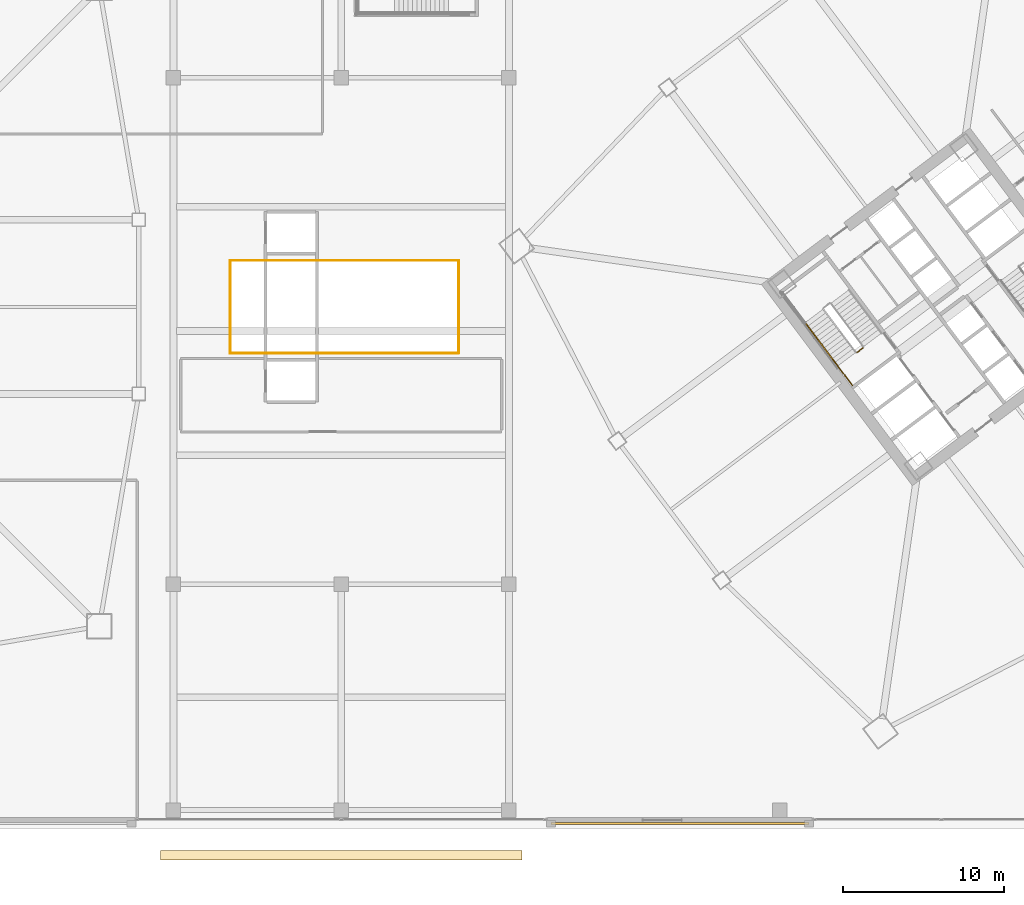
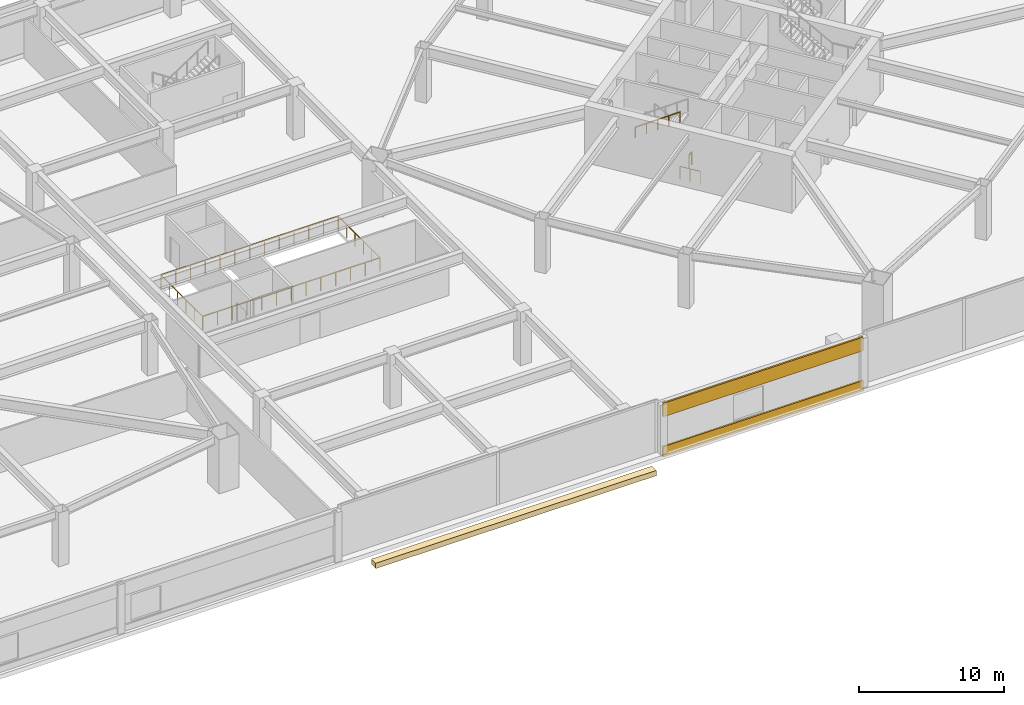
# One storey, part 41 of 44: 7 railings, 3 coverings.
"""IFC4 building model written with IfcOpenShell, lengths in metres."""

from ifc_helpers import new_model, si_unit, direction, frame, origin, origin_2d, place, context, subcontext, project, spatial, polyline, rectangle, outline, extrude, material, layer, layer_set, type_object, element, save


model = new_model("IFC4")

# Units and contexts
model_context = context("Model", 3, precision=1e-05, world=origin(), true_north=direction((0.0, 1.0)))
body_context = subcontext(model_context, "Body", "Model", "MODEL_VIEW")
ifc_project = project(units=[si_unit("LENGTHUNIT", "METRE"), si_unit("AREAUNIT", "SQUARE_METRE"), si_unit("VOLUMEUNIT", "CUBIC_METRE"), si_unit("PLANEANGLEUNIT", "RADIAN"), si_unit("MASSUNIT", "GRAM", prefix="KILO")], contexts=[model_context])

# Site, building, storey
site_placement = place(None, origin())
site = spatial("IfcSite", under=ifc_project, at=site_placement, CompositionType="ELEMENT")
building_placement = place(site_placement, origin())
building = spatial("IfcBuilding", under=site, at=building_placement, Name="Tashvorn Skyway Center", CompositionType="ELEMENT")
storey_placement = place(building_placement, frame((0.0, 0.0, 5.39990234375)))
storey = spatial("IfcBuildingStorey", under=building, at=storey_placement, Name="L01", CompositionType="ELEMENT", Elevation=5.39990234375)

# Coverings
ifc_material_1 = material(Name="Precast concrete C40/50", Category="concrete")
ifc_layer = layer(ifc_material_1, 0.35009765625)
ifc_layer_set = layer_set([ifc_layer], Name="Precast concrete C40/50")
covering_type = type_object("IfcCoveringType", Name="COV-STONE-TRIM", PredefinedType="CLADDING", material=ifc_layer_set)
covering_1_placement = place(storey_placement, frame((97.800048828125, -0.0400390625, 0.000244140625), z_axis=(0.0, 0.0, 1.0), x_axis=(1.0, 0.0, 0.0)))
element("IfcCovering", 1, at=covering_1_placement, inside=storey, type_object=covering_type, Name="L01 Limestone Sill Course S-M2", PredefinedType="CLADDING", context=body_context, shape_type="SweptSolid", body=[
    extrude(rectangle(XDim=16.0, YDim=0.139892578125, at=origin_2d()), origin(), (0.0, 0.0, 1.0), 0.8798828125),
])
covering_2_placement = place(storey_placement, frame((97.800048828125, -0.0400390625, 3.400390625), z_axis=(0.0, 0.0, 1.0), x_axis=(1.0, 0.0, 0.0)))
element("IfcCovering", 2, at=covering_2_placement, inside=storey, type_object=covering_type, Name="L01 Limestone Spandrel Course S-M2", PredefinedType="CLADDING", context=body_context, shape_type="SweptSolid", body=[
    extrude(rectangle(XDim=16.0, YDim=0.139892578125, at=origin_2d()), origin(), (0.0, 0.0, 1.0), 1.139892578125),
])
covering_3_placement = place(storey_placement, frame((0.0, 0.0, 0.400146484375)))
element("IfcCovering", 3, at=covering_3_placement, inside=storey, type_object=covering_type, Name="Station Marquee Canopy Terracotta Coping S", PredefinedType="CLADDING", context=body_context, shape_type="SweptSolid", body=[
    extrude(outline(polyline([(65.60009765625, -2.300048828125), (88.0, -2.300048828125), (88.0, -1.699951171875), (65.60009765625, -1.699951171875), (65.60009765625, -2.300048828125)])), origin(), (0.0, 0.0, 1.0), 0.449951171875),
])

# Railings
ifc_material_2 = material(Name="Low-E solar-control double insulating safety glass", Category="glass")
railing_type_1 = type_object("IfcRailingType", Name="RAIL-BAL-1150", PredefinedType="BALUSTRADE", material=ifc_material_2)
railing_1_placement = place(storey_placement, frame((69.919921875, 29.1201171875, 0.0)))
element("IfcRailing", 4, at=railing_1_placement, inside=storey, type_object=railing_type_1, Name="L01 Concourse Atrium Glass Balustrade 01", PredefinedType="BALUSTRADE", context=body_context, shape_type="SweptSolid", body=[
    extrude(rectangle(XDim=0.048095703125, YDim=0.048095703125, at=origin_2d()), frame((0.0, 0.0, 1.1259765625), z_axis=(1.0, 0.0, 0.0), x_axis=(0.0, 1.0, 0.0)), (0.0, 0.0, 1.0), 14.16015625),
    extrude(rectangle(XDim=0.0419921875, YDim=0.0419921875, at=origin_2d()), origin(), (0.0, 0.0, 1.0), 1.101806640625),
    extrude(rectangle(XDim=0.0419921875, YDim=0.0419921875, at=origin_2d()), frame((1.179931640625, 0.0, 0.0)), (0.0, 0.0, 1.0), 1.101806640625),
    extrude(rectangle(XDim=0.0419921875, YDim=0.0419921875, at=origin_2d()), frame((2.360107421875, 0.0, 0.0)), (0.0, 0.0, 1.0), 1.101806640625),
    extrude(rectangle(XDim=0.0419921875, YDim=0.0419921875, at=origin_2d()), frame((3.5400390625, 0.0, 0.0)), (0.0, 0.0, 1.0), 1.101806640625),
    extrude(rectangle(XDim=0.0419921875, YDim=0.0419921875, at=origin_2d()), frame((4.719970703125, 0.0, 0.0)), (0.0, 0.0, 1.0), 1.101806640625),
    extrude(rectangle(XDim=0.0419921875, YDim=0.0419921875, at=origin_2d()), frame((5.900146484375, 0.0, 0.0)), (0.0, 0.0, 1.0), 1.101806640625),
    extrude(rectangle(XDim=0.0419921875, YDim=0.0419921875, at=origin_2d()), frame((7.080078125, 0.0, 0.0)), (0.0, 0.0, 1.0), 1.101806640625),
    extrude(rectangle(XDim=0.0419921875, YDim=0.0419921875, at=origin_2d()), frame((8.260009765625, 0.0, 0.0)), (0.0, 0.0, 1.0), 1.101806640625),
    extrude(rectangle(XDim=0.0419921875, YDim=0.0419921875, at=origin_2d()), frame((9.440185546875, 0.0, 0.0)), (0.0, 0.0, 1.0), 1.101806640625),
    extrude(rectangle(XDim=0.0419921875, YDim=0.0419921875, at=origin_2d()), frame((10.6201171875, 0.0, 0.0)), (0.0, 0.0, 1.0), 1.101806640625),
    extrude(rectangle(XDim=0.0419921875, YDim=0.0419921875, at=origin_2d()), frame((11.800048828125, 0.0, 0.0)), (0.0, 0.0, 1.0), 1.101806640625),
    extrude(rectangle(XDim=0.0419921875, YDim=0.0419921875, at=origin_2d()), frame((12.980224609375, 0.0, 0.0)), (0.0, 0.0, 1.0), 1.101806640625),
    extrude(rectangle(XDim=0.0419921875, YDim=0.0419921875, at=origin_2d()), frame((14.16015625, 0.0, 0.0)), (0.0, 0.0, 1.0), 1.101806640625),
])
railing_2_placement = place(storey_placement, frame((84.080078125, 29.1201171875, 0.0)))
element("IfcRailing", 5, at=railing_2_placement, inside=storey, type_object=railing_type_1, Name="L01 Concourse Atrium Glass Balustrade 02", PredefinedType="BALUSTRADE", context=body_context, shape_type="SweptSolid", body=[
    extrude(rectangle(XDim=0.048095703125, YDim=0.048095703125, at=origin_2d()), frame((0.0, 0.0, 1.1259765625), z_axis=(0.0, 1.0, 0.0), x_axis=(-1.0, 0.0, 0.0)), (0.0, 0.0, 1.0), 5.759765625),
    extrude(rectangle(XDim=0.0419921875, YDim=0.0419921875, at=origin_2d()), origin(), (0.0, 0.0, 1.0), 1.101806640625),
    extrude(rectangle(XDim=0.0419921875, YDim=0.0419921875, at=origin_2d()), frame((0.0, 1.15185546875, 0.0)), (0.0, 0.0, 1.0), 1.101806640625),
    extrude(rectangle(XDim=0.0419921875, YDim=0.0419921875, at=origin_2d()), frame((0.0, 2.303955078125, 0.0)), (0.0, 0.0, 1.0), 1.101806640625),
    extrude(rectangle(XDim=0.0419921875, YDim=0.0419921875, at=origin_2d()), frame((0.0, 3.455810546875, 0.0)), (0.0, 0.0, 1.0), 1.101806640625),
    extrude(rectangle(XDim=0.0419921875, YDim=0.0419921875, at=origin_2d()), frame((0.0, 4.60791015625, 0.0)), (0.0, 0.0, 1.0), 1.101806640625),
    extrude(rectangle(XDim=0.0419921875, YDim=0.0419921875, at=origin_2d()), frame((0.0, 5.759765625, 0.0)), (0.0, 0.0, 1.0), 1.101806640625),
])
railing_3_placement = place(storey_placement, frame((84.080078125, 34.8798828125, 0.0)))
element("IfcRailing", 6, at=railing_3_placement, inside=storey, type_object=railing_type_1, Name="L01 Concourse Atrium Glass Balustrade 03", PredefinedType="BALUSTRADE", context=body_context, shape_type="SweptSolid", body=[
    extrude(rectangle(XDim=0.048095703125, YDim=0.048095703125, at=origin_2d()), frame((0.0, 0.0, 1.1259765625), z_axis=(-1.0, 0.0, 0.0), x_axis=(0.0, -1.0, 0.0)), (0.0, 0.0, 1.0), 14.16015625),
    extrude(rectangle(XDim=0.0419921875, YDim=0.0419921875, at=origin_2d()), origin(), (0.0, 0.0, 1.0), 1.101806640625),
    extrude(rectangle(XDim=0.0419921875, YDim=0.0419921875, at=origin_2d()), frame((-1.179931640625, 0.0, 0.0)), (0.0, 0.0, 1.0), 1.101806640625),
    extrude(rectangle(XDim=0.0419921875, YDim=0.0419921875, at=origin_2d()), frame((-2.360107421875, 0.0, 0.0)), (0.0, 0.0, 1.0), 1.101806640625),
    extrude(rectangle(XDim=0.0419921875, YDim=0.0419921875, at=origin_2d()), frame((-3.5400390625, 0.0, 0.0)), (0.0, 0.0, 1.0), 1.101806640625),
    extrude(rectangle(XDim=0.0419921875, YDim=0.0419921875, at=origin_2d()), frame((-4.719970703125, 0.0, 0.0)), (0.0, 0.0, 1.0), 1.101806640625),
    extrude(rectangle(XDim=0.0419921875, YDim=0.0419921875, at=origin_2d()), frame((-5.900146484375, 0.0, 0.0)), (0.0, 0.0, 1.0), 1.101806640625),
    extrude(rectangle(XDim=0.0419921875, YDim=0.0419921875, at=origin_2d()), frame((-7.080078125, 0.0, 0.0)), (0.0, 0.0, 1.0), 1.101806640625),
    extrude(rectangle(XDim=0.0419921875, YDim=0.0419921875, at=origin_2d()), frame((-8.260009765625, 0.0, 0.0)), (0.0, 0.0, 1.0), 1.101806640625),
    extrude(rectangle(XDim=0.0419921875, YDim=0.0419921875, at=origin_2d()), frame((-9.440185546875, 0.0, 0.0)), (0.0, 0.0, 1.0), 1.101806640625),
    extrude(rectangle(XDim=0.0419921875, YDim=0.0419921875, at=origin_2d()), frame((-10.6201171875, 0.0, 0.0)), (0.0, 0.0, 1.0), 1.101806640625),
    extrude(rectangle(XDim=0.0419921875, YDim=0.0419921875, at=origin_2d()), frame((-11.800048828125, 0.0, 0.0)), (0.0, 0.0, 1.0), 1.101806640625),
    extrude(rectangle(XDim=0.0419921875, YDim=0.0419921875, at=origin_2d()), frame((-12.980224609375, 0.0, 0.0)), (0.0, 0.0, 1.0), 1.101806640625),
    extrude(rectangle(XDim=0.0419921875, YDim=0.0419921875, at=origin_2d()), frame((-14.16015625, 0.0, 0.0)), (0.0, 0.0, 1.0), 1.101806640625),
])
railing_4_placement = place(storey_placement, frame((69.919921875, 34.8798828125, 0.0)))
element("IfcRailing", 7, at=railing_4_placement, inside=storey, type_object=railing_type_1, Name="L01 Concourse Atrium Glass Balustrade 04", PredefinedType="BALUSTRADE", context=body_context, shape_type="SweptSolid", body=[
    extrude(rectangle(XDim=0.048095703125, YDim=0.048095703125, at=origin_2d()), frame((0.0, 0.0, 1.1259765625), z_axis=(0.0, -1.0, 0.0), x_axis=(1.0, 0.0, 0.0)), (0.0, 0.0, 1.0), 5.759765625),
    extrude(rectangle(XDim=0.0419921875, YDim=0.0419921875, at=origin_2d()), origin(), (0.0, 0.0, 1.0), 1.101806640625),
    extrude(rectangle(XDim=0.0419921875, YDim=0.0419921875, at=origin_2d()), frame((0.0, -1.15185546875, 0.0)), (0.0, 0.0, 1.0), 1.101806640625),
    extrude(rectangle(XDim=0.0419921875, YDim=0.0419921875, at=origin_2d()), frame((0.0, -2.303955078125, 0.0)), (0.0, 0.0, 1.0), 1.101806640625),
    extrude(rectangle(XDim=0.0419921875, YDim=0.0419921875, at=origin_2d()), frame((0.0, -3.455810546875, 0.0)), (0.0, 0.0, 1.0), 1.101806640625),
    extrude(rectangle(XDim=0.0419921875, YDim=0.0419921875, at=origin_2d()), frame((0.0, -4.60791015625, 0.0)), (0.0, 0.0, 1.0), 1.101806640625),
    extrude(rectangle(XDim=0.0419921875, YDim=0.0419921875, at=origin_2d()), frame((0.0, -5.759765625, 0.0)), (0.0, 0.0, 1.0), 1.101806640625),
])
ifc_material_3 = material(Name="Brushed stainless steel 316", Category="steel")
railing_type_2 = type_object("IfcRailingType", Name="RAIL-HAND-920", PredefinedType="HANDRAIL", material=ifc_material_3)
railing_5_placement = place(storey_placement, frame((105.568115234375, 31.02587890625, 2.584716796875)))
element("IfcRailing", 8, at=railing_5_placement, inside=storey, type_object=railing_type_2, Name="L01 ST-T2-1 stair handrail 2", PredefinedType="HANDRAIL", context=body_context, shape_type="SweptSolid", body=[
    extrude(rectangle(XDim=0.048095703125, YDim=0.048095703125, at=origin_2d()), frame((0.0, 0.0, 0.8759765625), z_axis=(0.500897651133, -0.667903977107, 0.550459644711), x_axis=(0.800017438734, 0.59997674765, 0.0)), (0.0, 0.0, 1.0), 4.0244140625),
    extrude(rectangle(XDim=0.0419921875, YDim=0.0419921875, at=origin_2d()), origin(), (0.0, 0.0, 1.0), 0.851806640625),
    extrude(rectangle(XDim=0.0419921875, YDim=0.0419921875, at=origin_2d()), frame((0.50390625, -0.671875, 0.5537109375)), (0.0, 0.0, 1.0), 0.851806640625),
    extrude(rectangle(XDim=0.0419921875, YDim=0.0419921875, at=origin_2d()), frame((1.0078125, -1.343994140625, 1.107666015625)), (0.0, 0.0, 1.0), 0.851806640625),
    extrude(rectangle(XDim=0.0419921875, YDim=0.0419921875, at=origin_2d()), frame((1.511962890625, -2.01611328125, 1.66162109375)), (0.0, 0.0, 1.0), 0.851806640625),
    extrude(rectangle(XDim=0.0419921875, YDim=0.0419921875, at=origin_2d()), frame((2.015869140625, -2.68798828125, 2.21533203125)), (0.0, 0.0, 1.0), 0.851806640625),
])
ifc_material_4 = material(Name="Painted galvanized steel S355", Category="steel")
railing_type_3 = type_object("IfcRailingType", Name="RAIL-STGUARD-1100", PredefinedType="GUARDRAIL", material=ifc_material_4)
railing_6_placement = place(storey_placement, frame((109.157958984375, 29.4560546875, 0.0)))
element("IfcRailing", 9, at=railing_6_placement, inside=storey, type_object=railing_type_3, Name="L01 ST-T2-1 stair guard 5", PredefinedType="GUARDRAIL", context=body_context, shape_type="SweptSolid", body=[
    extrude(rectangle(XDim=0.048095703125, YDim=0.048095703125, at=origin_2d()), frame((0.0, 0.0, 1.076171875), z_axis=(-0.799938970639, -0.600081363861, 0.0), x_axis=(0.600081363861, -0.799938970639, 0.0)), (0.0, 0.0, 1.0), 0.47998046875),
    extrude(rectangle(XDim=0.0419921875, YDim=0.0419921875, at=origin_2d()), origin(), (0.0, 0.0, 1.0), 1.052001953125),
    extrude(rectangle(XDim=0.0419921875, YDim=0.0419921875, at=origin_2d()), frame((-0.384033203125, -0.2880859375, 0.0)), (0.0, 0.0, 1.0), 1.052001953125),
])
railing_7_placement = place(storey_placement, frame((108.49609375, 27.1220703125, 0.0)))
element("IfcRailing", 10, at=railing_7_placement, inside=storey, type_object=railing_type_3, Name="L01 ST-T2-1 stair guard 6", PredefinedType="GUARDRAIL", context=body_context, shape_type="SweptSolid", body=[
    extrude(rectangle(XDim=0.048095703125, YDim=0.048095703125, at=origin_2d()), frame((0.0, 0.0, 1.076171875), z_axis=(-0.600102796382, 0.799922892393, 0.0), x_axis=(-0.799922892393, -0.600102796382, 0.0)), (0.0, 0.0, 1.0), 1.52001953125),
    extrude(rectangle(XDim=0.0419921875, YDim=0.0419921875, at=origin_2d()), origin(), (0.0, 0.0, 1.0), 1.052001953125),
    extrude(rectangle(XDim=0.0419921875, YDim=0.0419921875, at=origin_2d()), frame((-0.4560546875, 0.60791015625, 0.0)), (0.0, 0.0, 1.0), 1.052001953125),
    extrude(rectangle(XDim=0.0419921875, YDim=0.0419921875, at=origin_2d()), frame((-0.912109375, 1.2158203125, 0.0)), (0.0, 0.0, 1.0), 1.052001953125),
])

save(model, "model.ifc")
